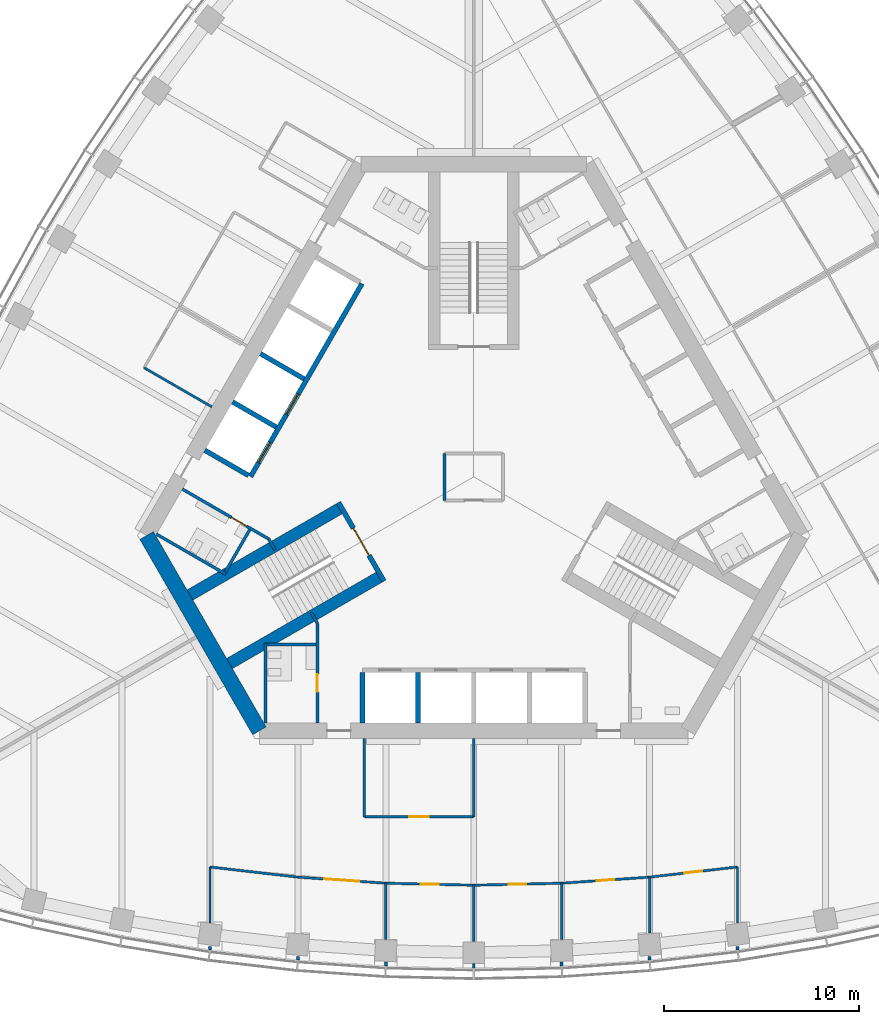
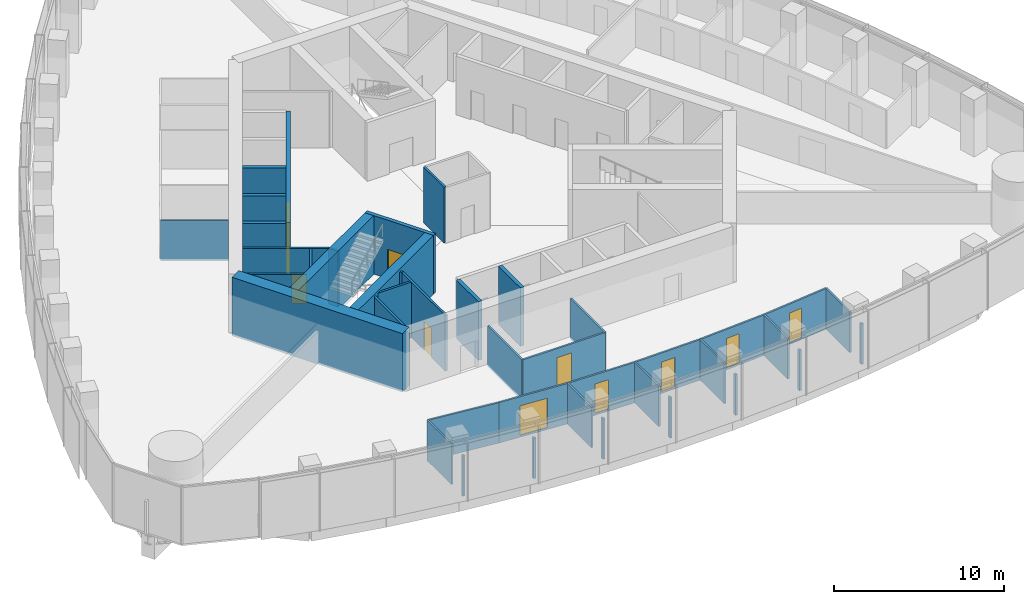
# One storey, part 11 of 20: 42 walls, 11 doors, 11 openings.
"""IFC4 building model written with IfcOpenShell, lengths in metres."""

import ifcopenshell
import ifcopenshell.guid

model = None  # the IFC model being written
_history = None  # IfcOwnerHistory: only IFC2X3 demands one
_inside = {}  # id of a spatial element -> (the spatial element, [elements in it])
_under = {}  # id of a project, library or spatial element -> (it, [spatial elements below it])
_declared = {}  # id of a project -> (the project, [libraries it declares])
_typed = {}  # id of a type object -> (the type object, [elements of that type])
_made_of = {}  # id of a material, layer set ... -> (it, [elements and type objects made of it])


def new_model(schema):
    """Start an empty IFC model of exactly this schema.

    Asked for "IFC4X3", IfcOpenShell would pick the latest addendum, in which some entities
    have other attributes; the version numbers below select the first issue.
    IFC2X3 requires an IfcOwnerHistory on every rooted entity: one is made here for all.
    """
    global model, _history
    if schema == "IFC4X3":
        model = ifcopenshell.file(schema_version=(4, 3, 0, 0))
    else:
        model = ifcopenshell.file(schema=schema)
    _inside.clear()
    _under.clear()
    _declared.clear()
    _typed.clear()
    _made_of.clear()
    _history = None
    if model.schema == "IFC2X3":
        org = make("IfcOrganization", Name="unknown")
        user = make(
            "IfcPersonAndOrganization",
            ThePerson=make("IfcPerson", FamilyName="unknown"),
            TheOrganization=org,
        )
        app = make(
            "IfcApplication",
            ApplicationDeveloper=org,
            Version="unknown",
            ApplicationFullName="unknown",
            ApplicationIdentifier="unknown",
        )
        _history = make(
            "IfcOwnerHistory",
            OwningUser=user,
            OwningApplication=app,
            ChangeAction="ADDED",
            CreationDate=0,
        )
    return model


def make(cls, **values):
    """One entity of the class cls with the attributes given. An attribute that is None is left unset."""
    return model.create_entity(
        cls, **{name: value for name, value in values.items() if value is not None}
    )


def rooted(cls, **values):
    """An entity with a GlobalId (a new one), such as an element, a storey or a relation."""
    return make(cls, GlobalId=ifcopenshell.guid.new(), OwnerHistory=_history, **values)


def si_unit(unit_type, name, prefix=None):
    """IfcSIUnit, for example si_unit("LENGTHUNIT", "METRE", prefix="MILLI")."""
    return make("IfcSIUnit", UnitType=unit_type, Prefix=prefix, Name=name)


def assignment(units):
    """IfcUnitAssignment: the units of a project."""
    return None if units is None else make("IfcUnitAssignment", Units=units)


def point(xyz):
    """IfcCartesianPoint."""
    return None if xyz is None else make("IfcCartesianPoint", Coordinates=xyz)


def direction(xyz):
    """IfcDirection."""
    return None if xyz is None else make("IfcDirection", DirectionRatios=xyz)


def frame(location, z_axis=None, x_axis=None):
    """IfcAxis2Placement3D, a coordinate frame: its origin and axes. An axis left out is left unset."""
    return make(
        "IfcAxis2Placement3D",
        Location=point(location),
        Axis=direction(z_axis),
        RefDirection=direction(x_axis),
    )


def frame_2d(location, x_axis=None):
    """IfcAxis2Placement2D, a coordinate frame in the plane: its origin and x axis."""
    return make(
        "IfcAxis2Placement2D", Location=point(location), RefDirection=direction(x_axis)
    )


def origin():
    """The frame at (0, 0, 0) with its axes left unset."""
    return frame((0.0, 0.0, 0.0))


def place(relative_to, where):
    """IfcLocalPlacement: puts the frame where relative to a parent placement (None: the world)."""
    return make(
        "IfcLocalPlacement", PlacementRelTo=relative_to, RelativePlacement=where
    )


def context(
    kind, dimensions, precision=None, world=None, true_north=None, identifier=None
):
    """IfcGeometricRepresentationContext, for example the 3D "Model" context."""
    return make(
        "IfcGeometricRepresentationContext",
        ContextIdentifier=identifier,
        ContextType=kind,
        CoordinateSpaceDimension=dimensions,
        Precision=precision,
        WorldCoordinateSystem=world,
        TrueNorth=true_north,
    )


def subcontext(parent, identifier, kind, view, scale=None):
    """IfcGeometricRepresentationSubContext, for example "Body" below "Model"."""
    return make(
        "IfcGeometricRepresentationSubContext",
        ContextIdentifier=identifier,
        ContextType=kind,
        ParentContext=parent,
        TargetScale=scale,
        TargetView=view,
    )


def project(units=None, contexts=None):
    """IfcProject with its units and contexts."""
    return rooted(
        "IfcProject",
        Name="project",
        RepresentationContexts=contexts,
        UnitsInContext=assignment(units),
    )


def spatial(cls, under=None, at=None, **own):
    """A site, building, storey or space (cls), placed at a placement, below another one or the project."""
    s = rooted(cls, ObjectPlacement=at, **own)
    if under is not None:
        _under.setdefault(under.id(), (under, []))[1].append(s)
    return s


def profile(cls, at=None, kind="AREA", **sizes):
    """A parametric profile (cls). Its sizes go by their IFC names, for example OverallWidth=200.0."""
    return make(cls, ProfileType=kind, Position=at, **sizes)


def rectangle(**sizes):
    """IfcRectangleProfileDef."""
    return profile("IfcRectangleProfileDef", **sizes)


def extrude(swept, where, along, depth):
    """IfcExtrudedAreaSolid: the profile swept, set in the frame where, extruded along a direction by depth."""
    return make(
        "IfcExtrudedAreaSolid",
        SweptArea=swept,
        Position=where,
        ExtrudedDirection=direction(along),
        Depth=depth,
    )


def shape(context_of_items, identifier, shape_type, items):
    """IfcShapeRepresentation: the items that make up one representation, for example the "Body"."""
    return make(
        "IfcShapeRepresentation",
        ContextOfItems=context_of_items,
        RepresentationIdentifier=identifier,
        RepresentationType=shape_type,
        Items=items,
    )


def material(Name=None, Category=None):
    """IfcMaterial."""
    return make("IfcMaterial", Name=Name, Category=Category)


def layer(
    of_material, thickness, ventilated=None, Name=None, Category=None, Priority=None
):
    """IfcMaterialLayer: one layer of a wall or slab, of a material (None: an air gap)."""
    return make(
        "IfcMaterialLayer",
        Material=of_material,
        LayerThickness=thickness,
        IsVentilated=ventilated,
        Name=Name,
        Category=Category,
        Priority=Priority,
    )


def layer_set(layers, Name=None):
    """IfcMaterialLayerSet."""
    return make("IfcMaterialLayerSet", MaterialLayers=layers, LayerSetName=Name)


def made_of(thing, what):
    """Note that an element or type object is made of a material, layer set ...; save() writes the relation."""
    if what is not None:
        _made_of.setdefault(what.id(), (what, []))[1].append(thing)
    return thing


def type_object(cls, material=None, **own):
    """A type object (cls), such as IfcWallType, which elements share."""
    return made_of(rooted(cls, **own), material)


def element(
    cls,
    number,
    at=None,
    inside=None,
    cuts=None,
    type_object=None,
    material=None,
    context=None,
    identifier="Body",
    shape_type=None,
    held_by="IfcProductDefinitionShape",
    body=None,
    shapes=None,
    **own,
):
    """One element of the class cls, such as IfcWall. Its Tag is "e" and its number.

    at: its placement. inside: the storey or other place that contains it. cuts: it is an
    opening in that element (IfcRelVoidsElement). A single representation is given by context,
    identifier, shape_type and body (its items); several are given by shapes. held_by: the class
    of the entity that holds the representations. save() writes the other relations.
    """
    e = rooted(cls, Tag="e%d" % number, ObjectPlacement=at, **own)
    if body is not None:
        shapes = [shape(context, identifier, shape_type, body)]
    if shapes is not None:
        e.Representation = make(held_by, Representations=shapes)
    if inside is not None:
        _inside.setdefault(inside.id(), (inside, []))[1].append(e)
    if cuts is not None:
        rooted(
            "IfcRelVoidsElement", RelatingBuildingElement=cuts, RelatedOpeningElement=e
        )
    if type_object is not None:
        _typed.setdefault(type_object.id(), (type_object, []))[1].append(e)
    return made_of(e, material)


def fill(opening, filler):
    """IfcRelFillsElement: the door or window that sits in an opening."""
    return rooted(
        "IfcRelFillsElement",
        RelatingOpeningElement=opening,
        RelatedBuildingElement=filler,
    )


def aggregate(whole, parts):
    """IfcRelAggregates: a whole, such as a stair, and the parts it consists of."""
    return rooted("IfcRelAggregates", RelatingObject=whole, RelatedObjects=parts)


def save(model, path):
    """Write the relations noted so far, then the file.

    IfcRelAggregates (storeys below a building ...), IfcRelContainedInSpatialStructure (elements
    in a storey), IfcRelDefinesByType, IfcRelAssociatesMaterial and IfcRelDeclares: one each for
    every whole, place, type object, material and project.
    """
    for whole, parts in _under.values():
        aggregate(whole, parts)
    for where, things in _inside.values():
        rooted(
            "IfcRelContainedInSpatialStructure",
            RelatedElements=things,
            RelatingStructure=where,
        )
    for kind, things in _typed.values():
        rooted("IfcRelDefinesByType", RelatedObjects=things, RelatingType=kind)
    for what, things in _made_of.values():
        rooted("IfcRelAssociatesMaterial", RelatedObjects=things, RelatingMaterial=what)
    for by, libraries in _declared.values():
        rooted("IfcRelDeclares", RelatingContext=by, RelatedDefinitions=libraries)
    model.write(path)


model = new_model("IFC4")

# Units and contexts
model_context = context("Model", 3, precision=1e-05, world=origin(), true_north=direction((0.0, 1.0)))
body_context = subcontext(model_context, "Body", "Model", "MODEL_VIEW")
ifc_project = project(units=[si_unit("LENGTHUNIT", "METRE"), si_unit("AREAUNIT", "SQUARE_METRE"), si_unit("VOLUMEUNIT", "CUBIC_METRE"), si_unit("PLANEANGLEUNIT", "RADIAN"), si_unit("MASSUNIT", "GRAM", prefix="KILO")], contexts=[model_context])

# Site, building, storey
site_placement = place(None, origin())
site = spatial("IfcSite", under=ifc_project, at=site_placement, CompositionType="ELEMENT")
building_placement = place(site_placement, origin())
building = spatial("IfcBuilding", under=site, at=building_placement, Name="Trefoil Bronze Tower", CompositionType="ELEMENT")
storey_placement = place(building_placement, frame((0.0, 0.0, 210.699951171875)))
storey = spatial("IfcBuildingStorey", under=building, at=storey_placement, Name="L48", CompositionType="ELEMENT", Elevation=210.699951171875)

# Wall
ifc_material_1 = material(Name="Concrete B80", Category="concrete")
ifc_layer_1 = layer(ifc_material_1, 0.800048828125)
ifc_layer_set_1 = layer_set([ifc_layer_1], Name="Core wall 800")
wall_type_1 = type_object("IfcWallType", Name="Core wall 800", PredefinedType="SHEAR", material=ifc_layer_set_1)
wall_1_placement = place(storey_placement, frame((-16.7431640625, -3.0, 0.0), z_axis=(0.0, 0.0, 1.0), x_axis=(0.499995765644, -0.866027848477, 0.0)))
element("IfcWall", 1, at=wall_1_placement, inside=storey, type_object=wall_type_1, Name="Core short wall 3 L48", PredefinedType="SHEAR", context=body_context, shape_type="SweptSolid", body=[
    extrude(rectangle(XDim=11.546875, YDim=0.800048828125, at=frame_2d((5.7734375, 0.0))), origin(), (0.0, 0.0, 1.0), 4.199951171875),
])

# Wall, opening, door
ifc_material_2 = material(Name="Glazed partition", Category="glass")
ifc_layer_2 = layer(ifc_material_2, 0.1201171875)
ifc_layer_set_2 = layer_set([ifc_layer_2], Name="Glazed partition 120")
wall_type_2 = type_object("IfcWallType", Name="Glazed partition 120", PredefinedType="PARTITIONING", material=ifc_layer_set_2)
wall_2_placement = place(storey_placement, frame((-5.60009765625, -17.39990234375, 0.0), z_axis=(0.0, 0.0, 1.0), x_axis=(1.0, 0.0, 0.0)))
wall_2 = element("IfcWall", 2, at=wall_2_placement, inside=storey, type_object=wall_type_2, Name="Partition F1 L48", PredefinedType="PARTITIONING", context=body_context, shape_type="SweptSolid", body=[
    extrude(rectangle(XDim=5.60009765625, YDim=0.1201171875, at=frame_2d((2.800048828125, 0.0))), origin(), (0.0, 0.0, 1.0), 2.900146484375),
])
opening_1_placement = place(wall_2_placement, frame((2.300048828125, 0.0, 0.14990234375)))
opening_1 = element("IfcOpeningElement", 3, at=opening_1_placement, cuts=wall_2, Name="Opening D9", PredefinedType="OPENING", context=body_context, shape_type="SweptSolid", body=[
    extrude(rectangle(XDim=1.0, YDim=2.10009765625, at=frame_2d((0.5, 1.050048828125))), frame((0.0, 0.070068359375, 0.0), z_axis=(0.0, -1.0, 0.0), x_axis=(1.0, 0.0, 0.0)), (0.0, 0.0, 1.0), 0.14013671875),
])
ifc_material_3 = material(Name="Glazed timber door", Category="wood")
door_type_1 = type_object("IfcDoorType", Name="Meeting room door 1000", OperationType="SINGLE_SWING_LEFT", PredefinedType="DOOR", material=ifc_material_3)
door_1_placement = place(opening_1_placement, origin())
door_1 = element("IfcDoor", 4, at=door_1_placement, inside=storey, type_object=door_type_1, Name="Meeting room door F1 L48", OperationType="SINGLE_SWING_LEFT", OverallHeight=2.10009765625, OverallWidth=1.0, PredefinedType="DOOR", context=body_context, shape_type="SweptSolid", body=[
    extrude(rectangle(XDim=1.0, YDim=2.10009765625, at=frame_2d((0.5, 1.050048828125))), frame((0.0, 0.02490234375, 0.0), z_axis=(0.0, -1.0, 0.0), x_axis=(1.0, 0.0, 0.0)), (0.0, 0.0, 1.0), 0.050048828125),
])
fill(opening_1, door_1)

# Walls
for number, where, z_axis, x_axis, name in (
    (5, (0.0, -13.39990234375, 0.0), (0.0, 0.0, 1.0), (0.0, -1.0, 0.0), "Partition F1 L48"),
    (6, (-5.60009765625, -13.39990234375, 0.0), (0.0, 0.0, 1.0), (0.0, -1.0, 0.0), "Partition F1 L48"),
):
    element("IfcWall", number, at=place(storey_placement, frame(where, z_axis=z_axis, x_axis=x_axis)), inside=storey, type_object=wall_type_2, Name=name, PredefinedType="PARTITIONING", context=body_context, shape_type="SweptSolid", body=[
        extrude(rectangle(XDim=4.0, YDim=0.1201171875, at=frame_2d((2.0, 0.0))), origin(), (0.0, 0.0, 1.0), 2.900146484375),
    ])

# Wall, opening, door
wall_3_placement = place(storey_placement, frame((0.0, -20.900634765625, 0.0), z_axis=(0.0, 0.0, 1.0), x_axis=(0.99973552509, 0.022997388381, 0.0)))
wall_3 = element("IfcWall", 7, at=wall_3_placement, inside=storey, type_object=wall_type_2, Name="Partition F1 L48", PredefinedType="PARTITIONING", context=body_context, shape_type="SweptSolid", body=[
    extrude(rectangle(XDim=4.501220703125, YDim=0.1201171875, at=frame_2d((2.25048828125, 0.0))), origin(), (0.0, 0.0, 1.0), 2.900146484375),
])
opening_2_placement = place(wall_3_placement, frame((1.800048828125, 0.0, 0.14990234375)))
opening_2 = element("IfcOpeningElement", 8, at=opening_2_placement, cuts=wall_3, Name="Opening D8", PredefinedType="OPENING", context=body_context, shape_type="SweptSolid", body=[
    extrude(rectangle(XDim=0.89990234375, YDim=2.10009765625, at=frame_2d((0.449951171875, 1.050048828125))), frame((0.0, 0.070068359375, 0.0), z_axis=(0.0, -1.0, 0.0), x_axis=(1.0, 0.0, 0.0)), (0.0, 0.0, 1.0), 0.14013671875),
])
ifc_material_4 = material(Name="Timber door", Category="wood")
door_type_2 = type_object("IfcDoorType", Name="Office door 900", OperationType="SINGLE_SWING_LEFT", PredefinedType="DOOR", material=ifc_material_4)
door_2_placement = place(opening_2_placement, frame((0.89990234375, 0.0, 0.0), z_axis=(0.0, 0.0, 1.0), x_axis=(-1.0, 0.0, 0.0)))
door_2 = element("IfcDoor", 9, at=door_2_placement, inside=storey, type_object=door_type_2, Name="Office door F1 L48", OperationType="SINGLE_SWING_RIGHT", OverallHeight=2.10009765625, OverallWidth=0.89990234375, PredefinedType="DOOR", context=body_context, shape_type="SweptSolid", body=[
    extrude(rectangle(XDim=0.89990234375, YDim=2.10009765625, at=frame_2d((0.449951171875, 1.050048828125))), frame((0.0, 0.02490234375, 0.0), z_axis=(0.0, -1.0, 0.0), x_axis=(1.0, 0.0, 0.0)), (0.0, 0.0, 1.0), 0.050048828125),
])
fill(opening_2, door_2)

wall_4_placement = place(storey_placement, frame((4.5, -20.797119140625, 0.0), z_axis=(0.0, 0.0, 1.0), x_axis=(0.997623533978, 0.068900540297, 0.0)))
wall_4 = element("IfcWall", 10, at=wall_4_placement, inside=storey, type_object=wall_type_2, Name="Partition F1 L48", PredefinedType="PARTITIONING", context=body_context, shape_type="SweptSolid", body=[
    extrude(rectangle(XDim=4.5107421875, YDim=0.1201171875, at=frame_2d((2.25537109375, 0.0))), origin(), (0.0, 0.0, 1.0), 2.900146484375),
])
opening_3_placement = place(wall_4_placement, frame((1.800048828125, 0.0, 0.14990234375)))
opening_3 = element("IfcOpeningElement", 11, at=opening_3_placement, cuts=wall_4, Name="Opening D8", PredefinedType="OPENING", context=body_context, shape_type="SweptSolid", body=[
    extrude(rectangle(XDim=0.89990234375, YDim=2.10009765625, at=frame_2d((0.449951171875, 1.050048828125))), frame((0.0, 0.070068359375, 0.0), z_axis=(0.0, -1.0, 0.0), x_axis=(1.0, 0.0, 0.0)), (0.0, 0.0, 1.0), 0.14013671875),
])
door_3_placement = place(opening_3_placement, frame((0.89990234375, 0.0, 0.0), z_axis=(0.0, 0.0, 1.0), x_axis=(-1.0, 0.0, 0.0)))
door_3 = element("IfcDoor", 12, at=door_3_placement, inside=storey, type_object=door_type_2, Name="Office door F1 L48", OperationType="SINGLE_SWING_RIGHT", OverallHeight=2.10009765625, OverallWidth=0.89990234375, PredefinedType="DOOR", context=body_context, shape_type="SweptSolid", body=[
    extrude(rectangle(XDim=0.89990234375, YDim=2.10009765625, at=frame_2d((0.449951171875, 1.050048828125))), frame((0.0, 0.02490234375, 0.0), z_axis=(0.0, -1.0, 0.0), x_axis=(1.0, 0.0, 0.0)), (0.0, 0.0, 1.0), 0.050048828125),
])
fill(opening_3, door_3)

wall_5_placement = place(storey_placement, frame((9.0, -20.486328125, 0.0), z_axis=(0.0, 0.0, 1.0), x_axis=(0.993382946625, 0.114849124309, 0.0)))
wall_5 = element("IfcWall", 13, at=wall_5_placement, inside=storey, type_object=wall_type_2, Name="Partition F1 L48", PredefinedType="PARTITIONING", context=body_context, shape_type="SweptSolid", body=[
    extrude(rectangle(XDim=4.530029296875, YDim=0.1201171875, at=frame_2d((2.26513671875, 0.0))), origin(), (0.0, 0.0, 1.0), 2.900146484375),
])
opening_4_placement = place(wall_5_placement, frame((1.800048828125, 0.0, 0.14990234375)))
opening_4 = element("IfcOpeningElement", 14, at=opening_4_placement, cuts=wall_5, Name="Opening D8", PredefinedType="OPENING", context=body_context, shape_type="SweptSolid", body=[
    extrude(rectangle(XDim=0.89990234375, YDim=2.10009765625, at=frame_2d((0.449951171875, 1.050048828125))), frame((0.0, 0.070068359375, 0.0), z_axis=(0.0, -1.0, 0.0), x_axis=(1.0, 0.0, 0.0)), (0.0, 0.0, 1.0), 0.14013671875),
])
door_4_placement = place(opening_4_placement, frame((0.89990234375, 0.0, 0.0), z_axis=(0.0, 0.0, 1.0), x_axis=(-1.0, 0.0, 0.0)))
door_4 = element("IfcDoor", 15, at=door_4_placement, inside=storey, type_object=door_type_2, Name="Office door F1 L48", OperationType="SINGLE_SWING_RIGHT", OverallHeight=2.10009765625, OverallWidth=0.89990234375, PredefinedType="DOOR", context=body_context, shape_type="SweptSolid", body=[
    extrude(rectangle(XDim=0.89990234375, YDim=2.10009765625, at=frame_2d((0.449951171875, 1.050048828125))), frame((0.0, 0.02490234375, 0.0), z_axis=(0.0, -1.0, 0.0), x_axis=(1.0, 0.0, 0.0)), (0.0, 0.0, 1.0), 0.050048828125),
])
fill(opening_4, door_4)

# Wall
wall_6_placement = place(storey_placement, frame((-13.5, -19.966064453125, 0.0), z_axis=(0.0, 0.0, 1.0), x_axis=(0.993382946625, -0.114849124309, 0.0)))
element("IfcWall", 16, at=wall_6_placement, inside=storey, type_object=wall_type_2, Name="Partition F1 L48", PredefinedType="PARTITIONING", context=body_context, shape_type="SweptSolid", body=[
    extrude(rectangle(XDim=4.530029296875, YDim=0.1201171875, at=frame_2d((2.26513671875, 0.0))), origin(), (0.0, 0.0, 1.0), 2.900146484375),
])

# Wall, opening, door
wall_7_placement = place(storey_placement, frame((-4.5, -20.797119140625, 0.0), z_axis=(0.0, 0.0, 1.0), x_axis=(0.99973552509, -0.022997388381, 0.0)))
wall_7 = element("IfcWall", 17, at=wall_7_placement, inside=storey, type_object=wall_type_2, Name="Partition F1 L48", PredefinedType="PARTITIONING", context=body_context, shape_type="SweptSolid", body=[
    extrude(rectangle(XDim=4.501220703125, YDim=0.1201171875, at=frame_2d((2.25048828125, 0.0))), origin(), (0.0, 0.0, 1.0), 2.900146484375),
])
opening_5_placement = place(wall_7_placement, frame((1.800048828125, 0.0, 0.14990234375)))
opening_5 = element("IfcOpeningElement", 18, at=opening_5_placement, cuts=wall_7, Name="Opening D8", PredefinedType="OPENING", context=body_context, shape_type="SweptSolid", body=[
    extrude(rectangle(XDim=0.89990234375, YDim=2.10009765625, at=frame_2d((0.449951171875, 1.050048828125))), frame((0.0, 0.070068359375, 0.0), z_axis=(0.0, -1.0, 0.0), x_axis=(1.0, 0.0, 0.0)), (0.0, 0.0, 1.0), 0.14013671875),
])
door_5_placement = place(opening_5_placement, frame((0.89990234375, 0.0, 0.0), z_axis=(0.0, 0.0, 1.0), x_axis=(-1.0, 0.0, 0.0)))
door_5 = element("IfcDoor", 19, at=door_5_placement, inside=storey, type_object=door_type_2, Name="Office door F1 L48", OperationType="SINGLE_SWING_RIGHT", OverallHeight=2.10009765625, OverallWidth=0.89990234375, PredefinedType="DOOR", context=body_context, shape_type="SweptSolid", body=[
    extrude(rectangle(XDim=0.89990234375, YDim=2.10009765625, at=frame_2d((0.449951171875, 1.050048828125))), frame((0.0, 0.02490234375, 0.0), z_axis=(0.0, -1.0, 0.0), x_axis=(1.0, 0.0, 0.0)), (0.0, 0.0, 1.0), 0.050048828125),
])
fill(opening_5, door_5)

wall_8_placement = place(storey_placement, frame((-9.0, -20.486328125, 0.0), z_axis=(0.0, 0.0, 1.0), x_axis=(0.997623533978, -0.068900540297, 0.0)))
wall_8 = element("IfcWall", 20, at=wall_8_placement, inside=storey, type_object=wall_type_2, Name="Partition F1 L48", PredefinedType="PARTITIONING", context=body_context, shape_type="SweptSolid", body=[
    extrude(rectangle(XDim=4.5107421875, YDim=0.1201171875, at=frame_2d((2.25537109375, 0.0))), origin(), (0.0, 0.0, 1.0), 2.900146484375),
])
opening_6_placement = place(wall_8_placement, frame((1.35009765625, 0.0, 0.14990234375)))
opening_6 = element("IfcOpeningElement", 21, at=opening_6_placement, cuts=wall_8, Name="Opening D10", PredefinedType="OPENING", context=body_context, shape_type="SweptSolid", body=[
    extrude(rectangle(XDim=1.800048828125, YDim=2.10009765625, at=frame_2d((0.89990234375, 1.050048828125))), frame((0.0, 0.070068359375, 0.0), z_axis=(0.0, -1.0, 0.0), x_axis=(1.0, 0.0, 0.0)), (0.0, 0.0, 1.0), 0.14013671875),
])
ifc_material_5 = material(Name="Timber door", Category="wood")
door_type_3 = type_object("IfcDoorType", Name="Double door 1800", OperationType="DOUBLE_DOOR_SINGLE_SWING", PredefinedType="DOOR", material=ifc_material_5)
door_6_placement = place(opening_6_placement, frame((1.800048828125, 0.0, 0.0), z_axis=(0.0, 0.0, 1.0), x_axis=(-1.0, 0.0, 0.0)))
door_6 = element("IfcDoor", 22, at=door_6_placement, inside=storey, type_object=door_type_3, Name="Kitchen and breakout door F1 L48", OperationType="DOUBLE_DOOR_SINGLE_SWING", OverallHeight=2.10009765625, OverallWidth=1.800048828125, PredefinedType="DOOR", context=body_context, shape_type="SweptSolid", body=[
    extrude(rectangle(XDim=1.800048828125, YDim=2.10009765625, at=frame_2d((0.89990234375, 1.050048828125))), frame((0.0, 0.02490234375, 0.0), z_axis=(0.0, -1.0, 0.0), x_axis=(1.0, 0.0, 0.0)), (0.0, 0.0, 1.0), 0.050048828125),
])
fill(opening_6, door_6)

# Walls
wall_9_placement = place(storey_placement, frame((0.0, -20.900634765625, 0.0), z_axis=(0.0, 0.0, 1.0), x_axis=(0.0, -1.0, 0.0)))
element("IfcWall", 23, at=wall_9_placement, inside=storey, type_object=wall_type_2, Name="Partition F1 L48", PredefinedType="PARTITIONING", context=body_context, shape_type="SweptSolid", body=[
    extrude(rectangle(XDim=2.8701171875, YDim=0.1201171875, at=frame_2d((1.43505859375, 0.0))), origin(), (0.0, 0.0, 1.0), 2.900146484375),
])
wall_10_placement = place(storey_placement, frame((13.5, -19.966064453125, 0.0), z_axis=(0.0, 0.0, 1.0), x_axis=(0.0, -1.0, 0.0)))
element("IfcWall", 24, at=wall_10_placement, inside=storey, type_object=wall_type_2, Name="Partition F1 L48", PredefinedType="PARTITIONING", context=body_context, shape_type="SweptSolid", body=[
    extrude(rectangle(XDim=2.856689453125, YDim=0.1201171875, at=frame_2d((1.42822265625, 0.0))), origin(), (0.0, 0.0, 1.0), 2.900146484375),
])
wall_11_placement = place(storey_placement, frame((4.5, -20.797119140625, 0.0), z_axis=(0.0, 0.0, 1.0), x_axis=(0.0, -1.0, 0.0)))
element("IfcWall", 25, at=wall_11_placement, inside=storey, type_object=wall_type_2, Name="Partition F1 L48", PredefinedType="PARTITIONING", context=body_context, shape_type="SweptSolid", body=[
    extrude(rectangle(XDim=2.86865234375, YDim=0.1201171875, at=frame_2d((1.434326171875, 0.0))), origin(), (0.0, 0.0, 1.0), 2.900146484375),
])
wall_12_placement = place(storey_placement, frame((9.0, -20.486328125, 0.0), z_axis=(0.0, 0.0, 1.0), x_axis=(0.0, -1.0, 0.0)))
element("IfcWall", 26, at=wall_12_placement, inside=storey, type_object=wall_type_2, Name="Partition F1 L48", PredefinedType="PARTITIONING", context=body_context, shape_type="SweptSolid", body=[
    extrude(rectangle(XDim=2.8642578125, YDim=0.1201171875, at=frame_2d((1.43212890625, 0.0))), origin(), (0.0, 0.0, 1.0), 2.900146484375),
])
wall_13_placement = place(storey_placement, frame((-13.5, -19.966064453125, 0.0), z_axis=(0.0, 0.0, 1.0), x_axis=(0.0, -1.0, 0.0)))
element("IfcWall", 27, at=wall_13_placement, inside=storey, type_object=wall_type_2, Name="Partition F1 L48", PredefinedType="PARTITIONING", context=body_context, shape_type="SweptSolid", body=[
    extrude(rectangle(XDim=2.856689453125, YDim=0.1201171875, at=frame_2d((1.42822265625, 0.0))), origin(), (0.0, 0.0, 1.0), 2.900146484375),
])
wall_14_placement = place(storey_placement, frame((-4.5, -20.797119140625, 0.0), z_axis=(0.0, 0.0, 1.0), x_axis=(0.0, -1.0, 0.0)))
element("IfcWall", 28, at=wall_14_placement, inside=storey, type_object=wall_type_2, Name="Partition F1 L48", PredefinedType="PARTITIONING", context=body_context, shape_type="SweptSolid", body=[
    extrude(rectangle(XDim=2.86865234375, YDim=0.1201171875, at=frame_2d((1.434326171875, 0.0))), origin(), (0.0, 0.0, 1.0), 2.900146484375),
])
wall_15_placement = place(storey_placement, frame((-13.40478515625, 3.582275390625, 0.0), z_axis=(0.0, 0.0, 1.0), x_axis=(-0.866026010844, 0.49999894854, 0.0)))
element("IfcWall", 29, at=wall_15_placement, inside=storey, type_object=wall_type_2, Name="Partition F3 L48", PredefinedType="PARTITIONING", context=body_context, shape_type="SweptSolid", body=[
    extrude(rectangle(XDim=4.0, YDim=0.1201171875, at=frame_2d((2.0, 0.0))), origin(), (0.0, 0.0, 1.0), 2.900146484375),
])

# Wall, opening, door
ifc_material_6 = material(Name="Gypsum board on steel studs", Category="steel")
ifc_layer_3 = layer(ifc_material_6, 0.14990234375)
ifc_layer_set_3 = layer_set([ifc_layer_3], Name="Partition 150")
wall_type_3 = type_object("IfcWallType", Name="Partition 150", PredefinedType="PARTITIONING", material=ifc_layer_set_3)
wall_16_placement = place(storey_placement, frame((-8.0, -7.5, 0.0), z_axis=(0.0, 0.0, 1.0), x_axis=(0.0, -1.0, 0.0)))
wall_16 = element("IfcWall", 30, at=wall_16_placement, inside=storey, type_object=wall_type_3, Name="Passage wall F1- L48", PredefinedType="PARTITIONING", context=body_context, shape_type="SweptSolid", body=[
    extrude(rectangle(XDim=5.10009765625, YDim=0.14990234375, at=frame_2d((2.550048828125, 0.0))), origin(), (0.0, 0.0, 1.0), 4.0),
])
opening_7_placement = place(wall_16_placement, frame((2.60009765625, 0.0, 0.0)))
opening_7 = element("IfcOpeningElement", 31, at=opening_7_placement, cuts=wall_16, Name="Opening D3", PredefinedType="OPENING", context=body_context, shape_type="SweptSolid", body=[
    extrude(rectangle(XDim=0.89990234375, YDim=2.10009765625, at=frame_2d((0.449951171875, 1.050048828125))), frame((0.0, 0.0849609375, 0.0), z_axis=(0.0, -1.0, 0.0), x_axis=(1.0, 0.0, 0.0)), (0.0, 0.0, 1.0), 0.169921875),
])
ifc_material_7 = material(Name="Timber door", Category="wood")
door_type_4 = type_object("IfcDoorType", Name="WC door 900", OperationType="SINGLE_SWING_LEFT", PredefinedType="DOOR", material=ifc_material_7)
door_7_placement = place(opening_7_placement, frame((0.89990234375, 0.0, 0.0), z_axis=(0.0, 0.0, 1.0), x_axis=(-1.0, 0.0, 0.0)))
door_7 = element("IfcDoor", 32, at=door_7_placement, inside=storey, type_object=door_type_4, Name="WC (women) door L48", OperationType="SINGLE_SWING_RIGHT", OverallHeight=2.10009765625, OverallWidth=0.89990234375, PredefinedType="DOOR", context=body_context, shape_type="SweptSolid", body=[
    extrude(rectangle(XDim=0.89990234375, YDim=2.10009765625, at=frame_2d((0.449951171875, 1.050048828125))), frame((0.0, 0.02490234375, 0.0), z_axis=(0.0, -1.0, 0.0), x_axis=(1.0, 0.0, 0.0)), (0.0, 0.0, 1.0), 0.050048828125),
])
fill(opening_7, door_7)

wall_17_placement = place(storey_placement, frame((-10.4951171875, -3.17822265625, 0.0), z_axis=(0.0, 0.0, 1.0), x_axis=(-0.86602216432, 0.500005610874, 0.0)))
wall_17 = element("IfcWall", 33, at=wall_17_placement, inside=storey, type_object=wall_type_3, Name="Passage wall F3+ L48", PredefinedType="PARTITIONING", context=body_context, shape_type="SweptSolid", body=[
    extrude(rectangle(XDim=5.10009765625, YDim=0.14990234375, at=frame_2d((2.550048828125, 0.0))), origin(), (0.0, 0.0, 1.0), 4.0),
])
opening_8_placement = place(wall_17_placement, frame((1.300048828125, 0.0, 0.0)))
opening_8 = element("IfcOpeningElement", 34, at=opening_8_placement, cuts=wall_17, Name="Opening D3", PredefinedType="OPENING", context=body_context, shape_type="SweptSolid", body=[
    extrude(rectangle(XDim=0.89990234375, YDim=2.10009765625, at=frame_2d((0.449951171875, 1.050048828125))), frame((0.0, 0.0849609375, 0.0), z_axis=(0.0, -1.0, 0.0), x_axis=(1.0, 0.0, 0.0)), (0.0, 0.0, 1.0), 0.169921875),
])
door_8_placement = place(opening_8_placement, origin())
door_8 = element("IfcDoor", 35, at=door_8_placement, inside=storey, type_object=door_type_4, Name="WC (men) door L48", OperationType="SINGLE_SWING_LEFT", OverallHeight=2.10009765625, OverallWidth=0.89990234375, PredefinedType="DOOR", context=body_context, shape_type="SweptSolid", body=[
    extrude(rectangle(XDim=0.89990234375, YDim=2.10009765625, at=frame_2d((0.449951171875, 1.050048828125))), frame((0.0, 0.02490234375, 0.0), z_axis=(0.0, -1.0, 0.0), x_axis=(1.0, 0.0, 0.0)), (0.0, 0.0, 1.0), 0.050048828125),
])
fill(opening_8, door_8)

# Walls
for number, where, z_axis, x_axis, name in (
    (36, (-10.4951171875, -3.17822265625, 0.0), (0.0, 0.0, 1.0), (0.499842556608, -0.866116284689, 0.0), "WC wall ST3-1 L48"),
    (37, (-8.0, -7.5, 0.0), (0.0, 0.0, 1.0), (-0.499842556608, 0.866116284689, 0.0), "WC wall ST3+1 L48"),
):
    element("IfcWall", number, at=place(storey_placement, frame(where, z_axis=z_axis, x_axis=x_axis)), inside=storey, type_object=wall_type_3, Name=name, PredefinedType="PARTITIONING", context=body_context, shape_type="SweptSolid", body=[
        extrude(rectangle(XDim=0.645263671875, YDim=0.14990234375, at=frame_2d((0.32275390625, 0.0))), origin(), (0.0, 0.0, 1.0), 4.0),
    ])
wall_18_placement = place(storey_placement, frame((-12.691162109375, -4.98193359375, 0.0), z_axis=(0.0, 0.0, 1.0), x_axis=(-0.8660249478, 0.500000789788, 0.0)))
element("IfcWall", 38, at=wall_18_placement, inside=storey, type_object=wall_type_3, Name="WC partition WC (men) L48", PredefinedType="PARTITIONING", context=body_context, shape_type="SweptSolid", body=[
    extrude(rectangle(XDim=4.10009765625, YDim=0.14990234375, at=frame_2d((2.050048828125, 0.0))), origin(), (0.0, 0.0, 1.0), 4.0),
])
wall_19_placement = place(storey_placement, frame((-11.463623046875, -2.70556640625, 0.0), z_axis=(0.0, 0.0, 1.0), x_axis=(-0.50001992892, -0.866013897511, 0.0)))
element("IfcWall", 39, at=wall_19_placement, inside=storey, type_object=wall_type_3, Name="WC partition WC (men) L48", PredefinedType="PARTITIONING", context=body_context, shape_type="SweptSolid", body=[
    extrude(rectangle(XDim=2.51025390625, YDim=0.14990234375, at=frame_2d((1.255126953125, 0.0))), origin(), (0.0, 0.0, 1.0), 4.0),
])
wall_20_placement = place(storey_placement, frame((-10.659912109375, -8.5, 0.0), z_axis=(0.0, 0.0, 1.0), x_axis=(0.0, -1.0, 0.0)))
element("IfcWall", 40, at=wall_20_placement, inside=storey, type_object=wall_type_3, Name="WC partition WC (women) L48", PredefinedType="PARTITIONING", context=body_context, shape_type="SweptSolid", body=[
    extrude(rectangle(XDim=4.10009765625, YDim=0.14990234375, at=frame_2d((2.050048828125, 0.0))), origin(), (0.0, 0.0, 1.0), 4.0),
])
wall_21_placement = place(storey_placement, frame((-8.074951171875, -8.574951171875, 0.0), z_axis=(0.0, 0.0, 1.0), x_axis=(-1.0, 0.0, 0.0)))
element("IfcWall", 41, at=wall_21_placement, inside=storey, type_object=wall_type_3, Name="WC partition WC (women) L48", PredefinedType="PARTITIONING", context=body_context, shape_type="SweptSolid", body=[
    extrude(rectangle(XDim=2.510009765625, YDim=0.14990234375, at=frame_2d((1.2548828125, 0.0))), origin(), (0.0, 0.0, 1.0), 4.0),
])
wall_22_placement = place(storey_placement, frame((13.5, -24.032958984375, 0.0), z_axis=(0.0, 0.0, 1.0), x_axis=(0.0, -1.0, 0.0)))
element("IfcWall", 42, at=wall_22_placement, inside=storey, type_object=wall_type_3, Name="Partition F1 L48", PredefinedType="PARTITIONING", context=body_context, shape_type="SweptSolid", body=[
    extrude(rectangle(XDim=0.17822265625, YDim=0.14990234375, at=frame_2d((0.089111328125, 0.0))), origin(), (0.0, 0.0, 1.0), 2.900146484375),
])
wall_23_placement = place(storey_placement, frame((4.5, -24.8251953125, 0.0), z_axis=(0.0, 0.0, 1.0), x_axis=(0.0, -1.0, 0.0)))
element("IfcWall", 43, at=wall_23_placement, inside=storey, type_object=wall_type_3, Name="Partition F1 L48", PredefinedType="PARTITIONING", context=body_context, shape_type="SweptSolid", body=[
    extrude(rectangle(XDim=0.217041015625, YDim=0.14990234375, at=frame_2d((0.1083984375, 0.0))), origin(), (0.0, 0.0, 1.0), 2.900146484375),
])
wall_24_placement = place(storey_placement, frame((9.0, -24.535400390625, 0.0), z_axis=(0.0, 0.0, 1.0), x_axis=(0.0, -1.0, 0.0)))
element("IfcWall", 44, at=wall_24_placement, inside=storey, type_object=wall_type_3, Name="Partition F1 L48", PredefinedType="PARTITIONING", context=body_context, shape_type="SweptSolid", body=[
    extrude(rectangle(XDim=0.196044921875, YDim=0.14990234375, at=frame_2d((0.09814453125, 0.0))), origin(), (0.0, 0.0, 1.0), 2.900146484375),
])
wall_25_placement = place(storey_placement, frame((0.0, -24.904541015625, 0.0), z_axis=(0.0, 0.0, 1.0), x_axis=(0.0, -1.0, 0.0)))
element("IfcWall", 45, at=wall_25_placement, inside=storey, type_object=wall_type_3, Name="Partition F1 L48", PredefinedType="PARTITIONING", context=body_context, shape_type="SweptSolid", body=[
    extrude(rectangle(XDim=0.2412109375, YDim=0.14990234375, at=frame_2d((0.12060546875, 0.0))), origin(), (0.0, 0.0, 1.0), 2.900146484375),
])
wall_26_placement = place(storey_placement, frame((-13.5, -24.032958984375, 0.0), z_axis=(0.0, 0.0, 1.0), x_axis=(0.0, -1.0, 0.0)))
element("IfcWall", 46, at=wall_26_placement, inside=storey, type_object=wall_type_3, Name="Partition F1 L48", PredefinedType="PARTITIONING", context=body_context, shape_type="SweptSolid", body=[
    extrude(rectangle(XDim=0.17822265625, YDim=0.14990234375, at=frame_2d((0.089111328125, 0.0))), origin(), (0.0, 0.0, 1.0), 2.900146484375),
])
wall_27_placement = place(storey_placement, frame((-4.5, -24.8251953125, 0.0), z_axis=(0.0, 0.0, 1.0), x_axis=(0.0, -1.0, 0.0)))
element("IfcWall", 47, at=wall_27_placement, inside=storey, type_object=wall_type_3, Name="Partition F1 L48", PredefinedType="PARTITIONING", context=body_context, shape_type="SweptSolid", body=[
    extrude(rectangle(XDim=0.217041015625, YDim=0.14990234375, at=frame_2d((0.1083984375, 0.0))), origin(), (0.0, 0.0, 1.0), 2.900146484375),
])
wall_28_placement = place(storey_placement, frame((-9.0, -24.535400390625, 0.0), z_axis=(0.0, 0.0, 1.0), x_axis=(0.0, -1.0, 0.0)))
element("IfcWall", 48, at=wall_28_placement, inside=storey, type_object=wall_type_3, Name="Partition F1 L48", PredefinedType="PARTITIONING", context=body_context, shape_type="SweptSolid", body=[
    extrude(rectangle(XDim=0.196044921875, YDim=0.14990234375, at=frame_2d((0.09814453125, 0.0))), origin(), (0.0, 0.0, 1.0), 2.900146484375),
])
ifc_material_8 = material(Name="Gypsum board on steel studs", Category="steel")
ifc_layer_4 = layer(ifc_material_8, 0.14990234375)
ifc_layer_set_4 = layer_set([ifc_layer_4], Name="Riser wall 150")
wall_type_4 = type_object("IfcWallType", Name="Riser wall 150", PredefinedType="PARTITIONING", material=ifc_layer_set_4)
wall_29_placement = place(storey_placement, frame((-1.5, 1.199951171875, 0.0), z_axis=(0.0, 0.0, 1.0), x_axis=(0.0, -1.0, 0.0)))
element("IfcWall", 49, at=wall_29_placement, inside=storey, type_object=wall_type_4, Name="Riser wall L48", PredefinedType="PARTITIONING", context=body_context, shape_type="SweptSolid", body=[
    extrude(rectangle(XDim=2.39990234375, YDim=0.14990234375, at=frame_2d((1.199951171875, 0.0))), origin(), (0.0, 0.0, 1.0), 4.0),
])
ifc_material_9 = material(Name="Concrete B80", Category="concrete")
ifc_layer_5 = layer(ifc_material_9, 0.25)
ifc_layer_set_5 = layer_set([ifc_layer_5], Name="Shaft wall 250")
wall_type_5 = type_object("IfcWallType", Name="Shaft wall 250", PredefinedType="SHEAR", material=ifc_layer_set_5)
for number, where, z_axis, x_axis, name in (
    (50, (-5.699951171875, -10.02490234375, 0.0), (0.0, 0.0, 1.0), (0.0, -1.0, 0.0), "Lift shaft side wall A0 L48"),
    (51, (-2.85009765625, -10.02490234375, 0.0), (0.0, 0.0, 1.0), (0.0, -1.0, 0.0), "Lift shaft side wall A1 L48"),
):
    element("IfcWall", number, at=place(storey_placement, frame(where, z_axis=z_axis, x_axis=x_axis)), inside=storey, type_object=wall_type_5, Name=name, PredefinedType="SHEAR", context=body_context, shape_type="SweptSolid", body=[
        extrude(rectangle(XDim=2.5751953125, YDim=0.25, at=frame_2d((1.28759765625, 0.0))), origin(), (0.0, 0.0, 1.0), 4.199951171875),
    ])

# Wall, openings, doors
wall_30_placement = place(storey_placement, frame((-5.7236328125, 9.88623046875, 0.0), z_axis=(0.0, 0.0, 1.0), x_axis=(-0.500001763848, -0.866024385424, 0.0)))
wall_30 = element("IfcWall", 52, at=wall_30_placement, inside=storey, type_object=wall_type_5, Name="Lift shaft front wall C L48", PredefinedType="SHEAR", context=body_context, shape_type="SweptSolid", body=[
    extrude(rectangle(XDim=11.39990234375, YDim=0.25, at=frame_2d((5.699951171875, 0.0))), origin(), (0.0, 0.0, 1.0), 4.199951171875),
])
opening_9_placement = place(wall_30_placement, frame((6.52490234375, 0.0, 0.0)))
opening_9 = element("IfcOpeningElement", 53, at=opening_9_placement, cuts=wall_30, Name="Opening LD-FL1", PredefinedType="OPENING", context=body_context, shape_type="SweptSolid", body=[
    extrude(rectangle(XDim=1.199951171875, YDim=2.199951171875, at=frame_2d((0.60009765625, 1.10009765625))), frame((0.0, 0.135009765625, 0.0), z_axis=(0.0, -1.0, 0.0), x_axis=(1.0, 0.0, 0.0)), (0.0, 0.0, 1.0), 0.27001953125),
])
opening_10_placement = place(wall_30_placement, frame((9.375, 0.0, 0.0)))
opening_10 = element("IfcOpeningElement", 54, at=opening_10_placement, cuts=wall_30, Name="Opening LD-FL2", PredefinedType="OPENING", context=body_context, shape_type="SweptSolid", body=[
    extrude(rectangle(XDim=1.199951171875, YDim=2.199951171875, at=frame_2d((0.60009765625, 1.10009765625))), frame((0.0, 0.135009765625, 0.0), z_axis=(0.0, -1.0, 0.0), x_axis=(1.0, 0.0, 0.0)), (0.0, 0.0, 1.0), 0.27001953125),
])
ifc_material_10 = material(Name="Steel door", Category="steel")
door_type_5 = type_object("IfcDoorType", Name="Lift landing door 1200", OperationType="DOUBLE_DOOR_SLIDING", PredefinedType="DOOR", material=ifc_material_10)
door_9_placement = place(opening_9_placement, origin())
door_9 = element("IfcDoor", 55, at=door_9_placement, inside=storey, type_object=door_type_5, Name="Lift FL1 landing door L48", OperationType="DOUBLE_DOOR_SLIDING", OverallHeight=2.199951171875, OverallWidth=1.199951171875, PredefinedType="DOOR", context=body_context, shape_type="SweptSolid", body=[
    extrude(rectangle(XDim=1.199951171875, YDim=2.199951171875, at=frame_2d((0.60009765625, 1.10009765625))), frame((0.0, 0.02490234375, 0.0), z_axis=(0.0, -1.0, 0.0), x_axis=(1.0, 0.0, 0.0)), (0.0, 0.0, 1.0), 0.050048828125),
])
fill(opening_9, door_9)
door_10_placement = place(opening_10_placement, origin())
door_10 = element("IfcDoor", 56, at=door_10_placement, inside=storey, type_object=door_type_5, Name="Lift FL2 landing door L48", OperationType="DOUBLE_DOOR_SLIDING", OverallHeight=2.199951171875, OverallWidth=1.199951171875, PredefinedType="DOOR", context=body_context, shape_type="SweptSolid", body=[
    extrude(rectangle(XDim=1.199951171875, YDim=2.199951171875, at=frame_2d((0.60009765625, 1.10009765625))), frame((0.0, 0.02490234375, 0.0), z_axis=(0.0, -1.0, 0.0), x_axis=(1.0, 0.0, 0.0)), (0.0, 0.0, 1.0), 0.050048828125),
])
fill(opening_10, door_10)

# Walls
for number, where, z_axis, x_axis, name in (
    (57, (-8.681884765625, 5.012451171875, 0.0), (0.0, 0.0, 1.0), (-0.866005588531, 0.500034319456, 0.0), "Lift shaft side wall C2 L48"),
    (58, (-10.10693359375, 2.54443359375, 0.0), (0.0, 0.0, 1.0), (-0.866046643894, 0.499963209246, 0.0), "Lift shaft side wall C3 L48"),
    (59, (-11.531982421875, 0.076171875, 0.0), (0.0, 0.0, 1.0), (-0.866005588531, 0.500034319456, 0.0), "Lift shaft side wall C4 L48"),
):
    element("IfcWall", number, at=place(storey_placement, frame(where, z_axis=z_axis, x_axis=x_axis)), inside=storey, type_object=wall_type_5, Name=name, PredefinedType="SHEAR", context=body_context, shape_type="SweptSolid", body=[
        extrude(rectangle(XDim=2.574951171875, YDim=0.25, at=frame_2d((1.28759765625, 0.0))), origin(), (0.0, 0.0, 1.0), 4.199951171875),
    ])

# Wall, opening, door
wall_31_placement = place(storey_placement, frame((-6.921630859375, -1.3115234375, 0.0), z_axis=(0.0, 0.0, 1.0), x_axis=(0.499984536904, -0.866034331223, 0.0)))
wall_31 = element("IfcWall", 60, at=wall_31_placement, inside=storey, type_object=wall_type_5, Name="Stair end wall ST3 L48", PredefinedType="SHEAR", context=body_context, shape_type="SweptSolid", body=[
    extrude(rectangle(XDim=4.650146484375, YDim=0.25, at=frame_2d((2.3251953125, 0.0))), origin(), (0.0, 0.0, 1.0), 4.199951171875),
])
opening_11_placement = place(wall_31_placement, frame((1.52490234375, 0.0, 0.0)))
opening_11 = element("IfcOpeningElement", 61, at=opening_11_placement, cuts=wall_31, Name="Opening D1", PredefinedType="OPENING", context=body_context, shape_type="SweptSolid", body=[
    extrude(rectangle(XDim=1.60009765625, YDim=2.10009765625, at=frame_2d((0.800048828125, 1.050048828125))), frame((0.0, 0.135009765625, 0.0), z_axis=(0.0, -1.0, 0.0), x_axis=(1.0, 0.0, 0.0)), (0.0, 0.0, 1.0), 0.27001953125),
])
ifc_material_11 = material(Name="Steel door", Category="steel")
door_type_6 = type_object("IfcDoorType", Name="Stair door 1600", OperationType="DOUBLE_DOOR_SINGLE_SWING", PredefinedType="DOOR", material=ifc_material_11)
door_11_placement = place(opening_11_placement, frame((1.60009765625, 0.0, 0.0), z_axis=(0.0, 0.0, 1.0), x_axis=(-1.0, 0.0, 0.0)))
door_11 = element("IfcDoor", 62, at=door_11_placement, inside=storey, type_object=door_type_6, Name="Stair door ST3 L48", OperationType="DOUBLE_DOOR_SINGLE_SWING", OverallHeight=2.10009765625, OverallWidth=1.60009765625, PredefinedType="DOOR", context=body_context, shape_type="SweptSolid", body=[
    extrude(rectangle(XDim=1.60009765625, YDim=2.10009765625, at=frame_2d((0.800048828125, 1.050048828125))), frame((0.0, 0.02490234375, 0.0), z_axis=(0.0, -1.0, 0.0), x_axis=(1.0, 0.0, 0.0)), (0.0, 0.0, 1.0), 0.050048828125),
])
fill(opening_11, door_11)

# Walls
ifc_material_12 = material(Name="Concrete B80", Category="concrete")
ifc_layer_6 = layer(ifc_material_12, 0.60009765625)
ifc_layer_set_6 = layer_set([ifc_layer_6], Name="Stair wall 600")
wall_type_6 = type_object("IfcWallType", Name="Stair wall 600", PredefinedType="SHEAR", material=ifc_layer_set_6)
for number, where, z_axis, x_axis, name in (
    (63, (-6.663330078125, -1.5087890625, 0.0), (0.0, 0.0, 1.0), (-0.866019375473, -0.500010441196, 0.0), "Stair wall ST3 L48"),
    (64, (-4.638427734375, -5.01611328125, 0.0), (0.0, 0.0, 1.0), (-0.866019375473, -0.500010441196, 0.0), "Stair wall ST3 L48"),
):
    element("IfcWall", number, at=place(storey_placement, frame(where, z_axis=z_axis, x_axis=x_axis)), inside=storey, type_object=wall_type_6, Name=name, PredefinedType="SHEAR", context=body_context, shape_type="SweptSolid", body=[
        extrude(rectangle(XDim=9.074951171875, YDim=0.60009765625, at=frame_2d((4.53759765625, 0.0))), origin(), (0.0, 0.0, 1.0), 4.199951171875),
    ])

save(model, "model.ifc")
